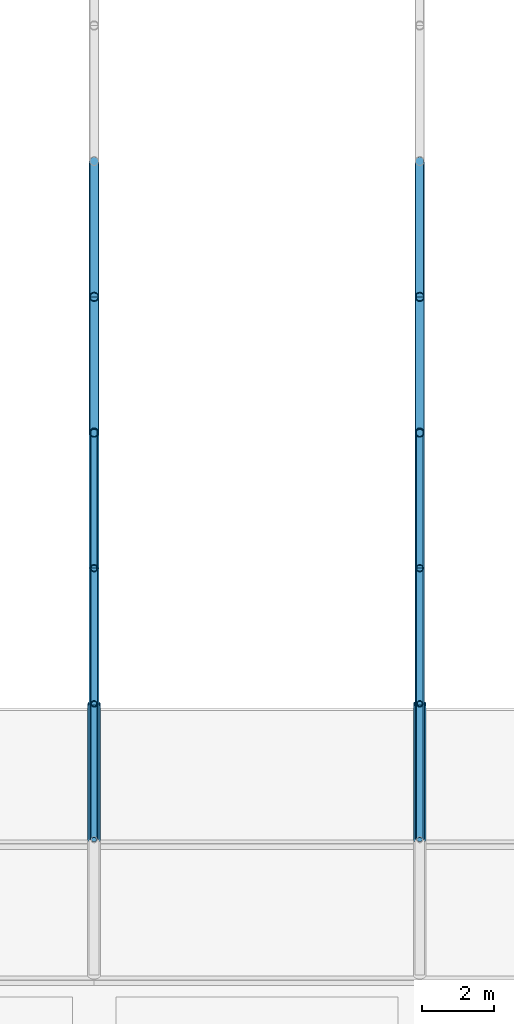
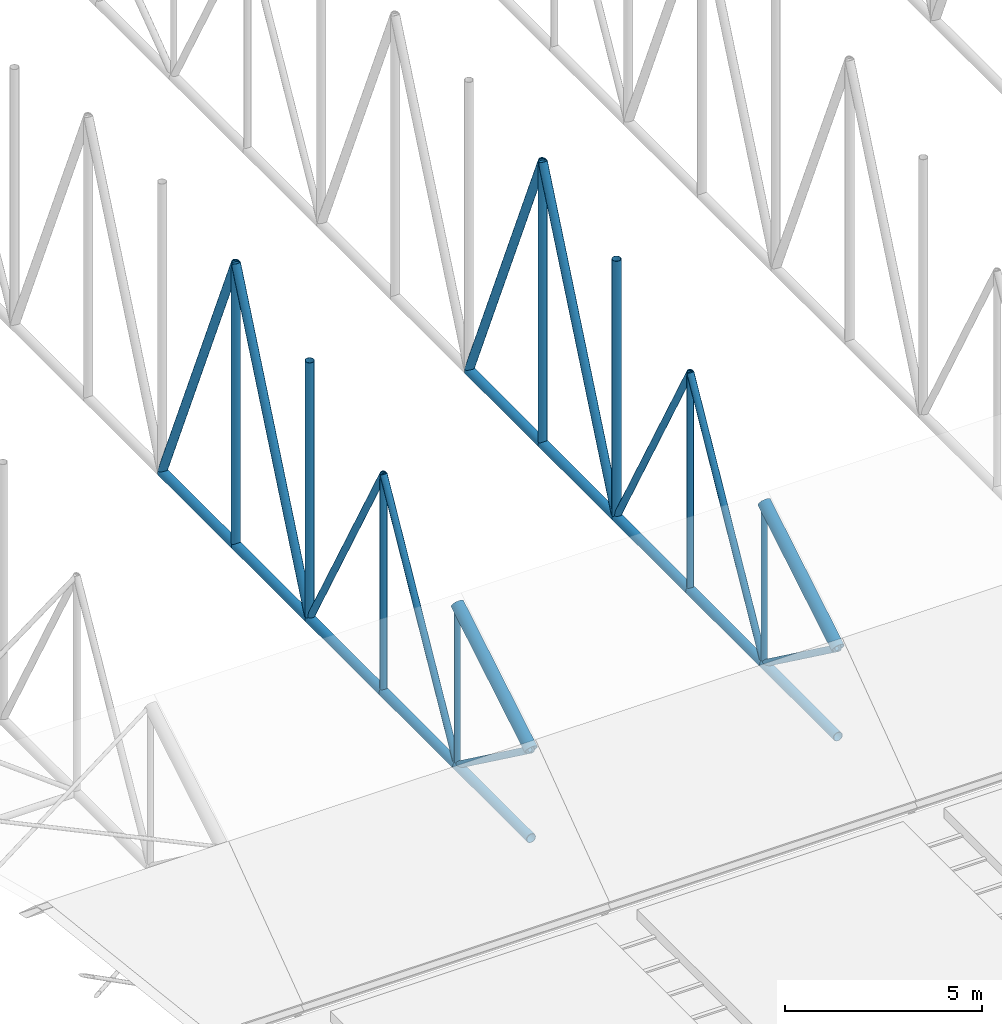
# One storey, part 48 of 153: 30 members.
"""IFC4 building model written with IfcOpenShell, lengths in metres."""

from ifc_helpers import new_model, si_unit, direction, frame, origin, origin_2d, place, context, subcontext, project, spatial, hollow_circle, extrude, material, material_profile, profile_set, type_object, element, save


model = new_model("IFC4")

# Units and contexts
model_context = context("Model", 3, precision=1e-05, world=origin(), true_north=direction((0.0, 1.0)))
body_context = subcontext(model_context, "Body", "Model", "MODEL_VIEW")
ifc_project = project(units=[si_unit("LENGTHUNIT", "METRE"), si_unit("AREAUNIT", "SQUARE_METRE"), si_unit("VOLUMEUNIT", "CUBIC_METRE"), si_unit("PLANEANGLEUNIT", "RADIAN"), si_unit("MASSUNIT", "GRAM", prefix="KILO")], contexts=[model_context])

# Site, building, storey
site_placement = place(None, origin())
site = spatial("IfcSite", under=ifc_project, at=site_placement, CompositionType="ELEMENT")
building_placement = place(site_placement, origin())
building = spatial("IfcBuilding", under=site, at=building_placement, Name="Baradari Gate Terminus", CompositionType="ELEMENT")
storey_placement = place(building_placement, frame((0.0, 0.0, 11.699951171875)))
storey = spatial("IfcBuildingStorey", under=building, at=storey_placement, Name="L02", CompositionType="ELEMENT", Elevation=11.699951171875)

# Members
ifc_material_1 = material(Name="Steel S355", Category="steel")
ifc_material_profile_1 = material_profile(ifc_material_1, hollow_circle(Radius=0.136474609375, WallThickness=0.012451171875, at=origin_2d()), Name="CHS 273x12.5")
ifc_profile_set_1 = profile_set([ifc_material_profile_1], Name="Steel S355")
member_type_1 = type_object("IfcMemberType", Name="Shed bottom chord CHS 273x12.5", PredefinedType="CHORD", material=ifc_profile_set_1)
for number, where, z_axis, x_axis, name in (
    (1, (135.0, 39.75, 0.136474609375), (0.0, 1.0, 0.0), (-1.0, 0.0, 0.0), "TR/L02/S135-BC01"),
    (2, (135.0, 43.5, 0.136474609375), (0.0, 1.0, 0.0), (-1.0, 0.0, 0.0), "TR/L02/S135-BC02"),
    (3, (135.0, 47.25, 0.136474609375), (0.0, 1.0, 0.0), (-1.0, 0.0, 0.0), "TR/L02/S135-BC03"),
    (4, (135.0, 51.0, 0.136474609375), (0.0, 1.0, 0.0), (-1.0, 0.0, 0.0), "TR/L02/S135-BC04"),
    (5, (135.0, 54.75, 0.136474609375), (0.0, 1.0, 0.0), (-1.0, 0.0, 0.0), "TR/L02/S135-BC05"),
    (6, (144.0, 39.75, 0.136474609375), (0.0, 1.0, 0.0), (-1.0, 0.0, 0.0), "TR/L02/S144-BC01"),
    (7, (144.0, 43.5, 0.136474609375), (0.0, 1.0, 0.0), (-1.0, 0.0, 0.0), "TR/L02/S144-BC02"),
    (8, (144.0, 47.25, 0.136474609375), (0.0, 1.0, 0.0), (-1.0, 0.0, 0.0), "TR/L02/S144-BC03"),
    (9, (144.0, 51.0, 0.136474609375), (0.0, 1.0, 0.0), (-1.0, 0.0, 0.0), "TR/L02/S144-BC04"),
    (10, (144.0, 54.75, 0.136474609375), (0.0, 1.0, 0.0), (-1.0, 0.0, 0.0), "TR/L02/S144-BC05"),
):
    element("IfcMember", number, at=place(storey_placement, frame(where, z_axis=z_axis, x_axis=x_axis)), inside=storey, type_object=member_type_1, Name=name, PredefinedType="CHORD", context=body_context, shape_type="SweptSolid", body=[
        extrude(hollow_circle(Radius=0.136474609375, WallThickness=0.012451171875, at=origin_2d()), origin(), (0.0, 0.0, 1.0), 3.75),
    ])
ifc_material_2 = material(Name="Steel S355", Category="steel")
ifc_material_profile_2 = material_profile(ifc_material_2, hollow_circle(Radius=0.177734375, WallThickness=0.01611328125, at=origin_2d()), Name="CHS 355.6x16")
ifc_profile_set_2 = profile_set([ifc_material_profile_2], Name="Steel S355")
member_type_2 = type_object("IfcMemberType", Name="Shed top chord CHS 355.6x16", PredefinedType="CHORD", material=ifc_profile_set_2)
for number, where, z_axis, x_axis, name in (
    (11, (135.0, 39.75, 2.886474609375), (0.0, 0.857492925713, 0.514495755428), (-1.0, 0.0, 0.0), "TR/L02/S135-TC01"),
    (12, (144.0, 39.75, 2.886474609375), (0.0, 0.857492925713, 0.514495755428), (-1.0, 0.0, 0.0), "TR/L02/S144-TC01"),
):
    element("IfcMember", number, at=place(storey_placement, frame(where, z_axis=z_axis, x_axis=x_axis)), inside=storey, type_object=member_type_2, Name=name, PredefinedType="CHORD", context=body_context, shape_type="SweptSolid", body=[
        extrude(hollow_circle(Radius=0.177734375, WallThickness=0.01611328125, at=origin_2d()), origin(), (0.0, 0.0, 1.0), 4.373291015625),
    ])
ifc_material_3 = material(Name="Steel S355", Category="steel")
ifc_material_profile_3 = material_profile(ifc_material_3, hollow_circle(Radius=0.096923828125, WallThickness=0.008056640625, at=origin_2d()), Name="CHS 193.7x8")
ifc_profile_set_3 = profile_set([ifc_material_profile_3], Name="Steel S355")
member_type_3 = type_object("IfcMemberType", Name="Shed truss diagonal CHS 193.7x8", PredefinedType="BRACE", material=ifc_profile_set_3)
member_1_placement = place(storey_placement, frame((135.0, 39.75, 2.886474609375), z_axis=(0.0, 0.806404995856, -0.591363663628), x_axis=(-1.0, 0.0, 0.0)))
element("IfcMember", 13, at=member_1_placement, inside=storey, type_object=member_type_3, Name="TR/L02/S135-SD01", PredefinedType="BRACE", context=body_context, shape_type="SweptSolid", body=[
    extrude(hollow_circle(Radius=0.096923828125, WallThickness=0.008056640625, at=origin_2d()), origin(), (0.0, 0.0, 1.0), 4.650390625),
])
for number, where, z_axis, x_axis, name in (
    (14, (135.0, 47.25, 6.886474609375), (0.0, -0.485642931179, -0.874157276122), (1.0, 0.0, 0.0), "TR/L02/S135-SD02"),
    (15, (135.0, 47.25, 6.886474609375), (0.0, 0.485642931179, -0.874157276122), (-1.0, 0.0, 0.0), "TR/L02/S135-SD03"),
):
    element("IfcMember", number, at=place(storey_placement, frame(where, z_axis=z_axis, x_axis=x_axis)), inside=storey, type_object=member_type_3, Name=name, PredefinedType="BRACE", context=body_context, shape_type="SweptSolid", body=[
        extrude(hollow_circle(Radius=0.096923828125, WallThickness=0.008056640625, at=origin_2d()), origin(), (0.0, 0.0, 1.0), 7.7216796875),
    ])
member_2_placement = place(storey_placement, frame((144.0, 39.75, 2.886474609375), z_axis=(0.0, 0.806404995856, -0.591363663628), x_axis=(-1.0, 0.0, 0.0)))
element("IfcMember", 16, at=member_2_placement, inside=storey, type_object=member_type_3, Name="TR/L02/S144-SD01", PredefinedType="BRACE", context=body_context, shape_type="SweptSolid", body=[
    extrude(hollow_circle(Radius=0.096923828125, WallThickness=0.008056640625, at=origin_2d()), origin(), (0.0, 0.0, 1.0), 4.650390625),
])
for number, where, z_axis, x_axis, name in (
    (17, (144.0, 47.25, 6.886474609375), (0.0, -0.485642931179, -0.874157276122), (1.0, 0.0, 0.0), "TR/L02/S144-SD02"),
    (18, (144.0, 47.25, 6.886474609375), (0.0, 0.485642931179, -0.874157276122), (-1.0, 0.0, 0.0), "TR/L02/S144-SD03"),
):
    element("IfcMember", number, at=place(storey_placement, frame(where, z_axis=z_axis, x_axis=x_axis)), inside=storey, type_object=member_type_3, Name=name, PredefinedType="BRACE", context=body_context, shape_type="SweptSolid", body=[
        extrude(hollow_circle(Radius=0.096923828125, WallThickness=0.008056640625, at=origin_2d()), origin(), (0.0, 0.0, 1.0), 7.7216796875),
    ])
ifc_material_4 = material(Name="Steel S355", Category="steel")
ifc_material_profile_4 = material_profile(ifc_material_4, hollow_circle(Radius=0.122314453125, WallThickness=0.010009765625, at=origin_2d()), Name="CHS 244.5x10")
ifc_profile_set_4 = profile_set([ifc_material_profile_4], Name="Steel S355")
member_type_4 = type_object("IfcMemberType", Name="Shed truss diagonal CHS 244.5x10", PredefinedType="BRACE", material=ifc_profile_set_4)
for number, where, z_axis, x_axis, name in (
    (19, (135.0, 54.75, 8.886474609375), (0.0, -0.393919298579, -0.919145030018), (1.0, 0.0, 0.0), "TR/L02/S135-SD04"),
    (20, (135.0, 54.75, 8.886474609375), (0.0, 0.393919298579, -0.919145030018), (-1.0, 0.0, 0.0), "TR/L02/S135-SD05"),
    (21, (144.0, 54.75, 8.886474609375), (0.0, -0.393919298579, -0.919145030018), (1.0, 0.0, 0.0), "TR/L02/S144-SD04"),
    (22, (144.0, 54.75, 8.886474609375), (0.0, 0.393919298579, -0.919145030018), (-1.0, 0.0, 0.0), "TR/L02/S144-SD05"),
):
    element("IfcMember", number, at=place(storey_placement, frame(where, z_axis=z_axis, x_axis=x_axis)), inside=storey, type_object=member_type_4, Name=name, PredefinedType="BRACE", context=body_context, shape_type="SweptSolid", body=[
        extrude(hollow_circle(Radius=0.122314453125, WallThickness=0.010009765625, at=origin_2d()), origin(), (0.0, 0.0, 1.0), 9.519775390625),
    ])
ifc_material_5 = material(Name="Steel S355", Category="steel")
ifc_material_profile_5 = material_profile(ifc_material_5, hollow_circle(Radius=0.084228515625, WallThickness=0.008056640625, at=origin_2d()), Name="CHS 168.3x8")
ifc_profile_set_5 = profile_set([ifc_material_profile_5], Name="Steel S355")
member_type_5 = type_object("IfcMemberType", Name="Shed truss post CHS 168.3x8", PredefinedType="POST", material=ifc_profile_set_5)
for number, where, z_axis, x_axis, name in (
    (23, (135.0, 43.5, 0.136474609375), (0.0, 0.0, 1.0), (1.0, 0.0, 0.0), "TR/L02/S135-SP02"),
    (24, (144.0, 43.5, 0.136474609375), (0.0, 0.0, 1.0), (1.0, 0.0, 0.0), "TR/L02/S144-SP02"),
):
    element("IfcMember", number, at=place(storey_placement, frame(where, z_axis=z_axis, x_axis=x_axis)), inside=storey, type_object=member_type_5, Name=name, PredefinedType="POST", context=body_context, shape_type="SweptSolid", body=[
        extrude(hollow_circle(Radius=0.084228515625, WallThickness=0.008056640625, at=origin_2d()), origin(), (0.0, 0.0, 1.0), 5.0),
    ])
ifc_material_6 = material(Name="Steel S355", Category="steel")
ifc_material_profile_6 = material_profile(ifc_material_6, hollow_circle(Radius=0.096923828125, WallThickness=0.008056640625, at=origin_2d()), Name="CHS 193.7x8")
ifc_profile_set_6 = profile_set([ifc_material_profile_6], Name="Steel S355")
member_type_6 = type_object("IfcMemberType", Name="Shed truss post CHS 193.7x8", PredefinedType="POST", material=ifc_profile_set_6)
for number, where, z_axis, x_axis, name in (
    (25, (135.0, 47.25, 0.136474609375), (0.0, 0.0, 1.0), (1.0, 0.0, 0.0), "TR/L02/S135-SP03"),
    (26, (144.0, 47.25, 0.136474609375), (0.0, 0.0, 1.0), (1.0, 0.0, 0.0), "TR/L02/S144-SP03"),
):
    element("IfcMember", number, at=place(storey_placement, frame(where, z_axis=z_axis, x_axis=x_axis)), inside=storey, type_object=member_type_6, Name=name, PredefinedType="POST", context=body_context, shape_type="SweptSolid", body=[
        extrude(hollow_circle(Radius=0.096923828125, WallThickness=0.008056640625, at=origin_2d()), origin(), (0.0, 0.0, 1.0), 6.75),
    ])
ifc_material_7 = material(Name="Steel S355", Category="steel")
ifc_material_profile_7 = material_profile(ifc_material_7, hollow_circle(Radius=0.122314453125, WallThickness=0.010009765625, at=origin_2d()), Name="CHS 244.5x10")
ifc_profile_set_7 = profile_set([ifc_material_profile_7], Name="Steel S355")
member_type_7 = type_object("IfcMemberType", Name="Shed truss post CHS 244.5x10", PredefinedType="POST", material=ifc_profile_set_7)
member_3_placement = place(storey_placement, frame((135.0, 51.0, 0.136474609375), z_axis=(0.0, 0.0, 1.0), x_axis=(1.0, 0.0, 0.0)))
element("IfcMember", 27, at=member_3_placement, inside=storey, type_object=member_type_7, Name="TR/L02/S135-SP04", PredefinedType="POST", context=body_context, shape_type="SweptSolid", body=[
    extrude(hollow_circle(Radius=0.122314453125, WallThickness=0.010009765625, at=origin_2d()), origin(), (0.0, 0.0, 1.0), 8.0),
])
member_4_placement = place(storey_placement, frame((135.0, 54.75, 0.136474609375), z_axis=(0.0, 0.0, 1.0), x_axis=(1.0, 0.0, 0.0)))
element("IfcMember", 28, at=member_4_placement, inside=storey, type_object=member_type_7, Name="TR/L02/S135-SP05", PredefinedType="POST", context=body_context, shape_type="SweptSolid", body=[
    extrude(hollow_circle(Radius=0.122314453125, WallThickness=0.010009765625, at=origin_2d()), origin(), (0.0, 0.0, 1.0), 8.75),
])
member_5_placement = place(storey_placement, frame((144.0, 51.0, 0.136474609375), z_axis=(0.0, 0.0, 1.0), x_axis=(1.0, 0.0, 0.0)))
element("IfcMember", 29, at=member_5_placement, inside=storey, type_object=member_type_7, Name="TR/L02/S144-SP04", PredefinedType="POST", context=body_context, shape_type="SweptSolid", body=[
    extrude(hollow_circle(Radius=0.122314453125, WallThickness=0.010009765625, at=origin_2d()), origin(), (0.0, 0.0, 1.0), 8.0),
])
member_6_placement = place(storey_placement, frame((144.0, 54.75, 0.136474609375), z_axis=(0.0, 0.0, 1.0), x_axis=(1.0, 0.0, 0.0)))
element("IfcMember", 30, at=member_6_placement, inside=storey, type_object=member_type_7, Name="TR/L02/S144-SP05", PredefinedType="POST", context=body_context, shape_type="SweptSolid", body=[
    extrude(hollow_circle(Radius=0.122314453125, WallThickness=0.010009765625, at=origin_2d()), origin(), (0.0, 0.0, 1.0), 8.75),
])

save(model, "model.ifc")
